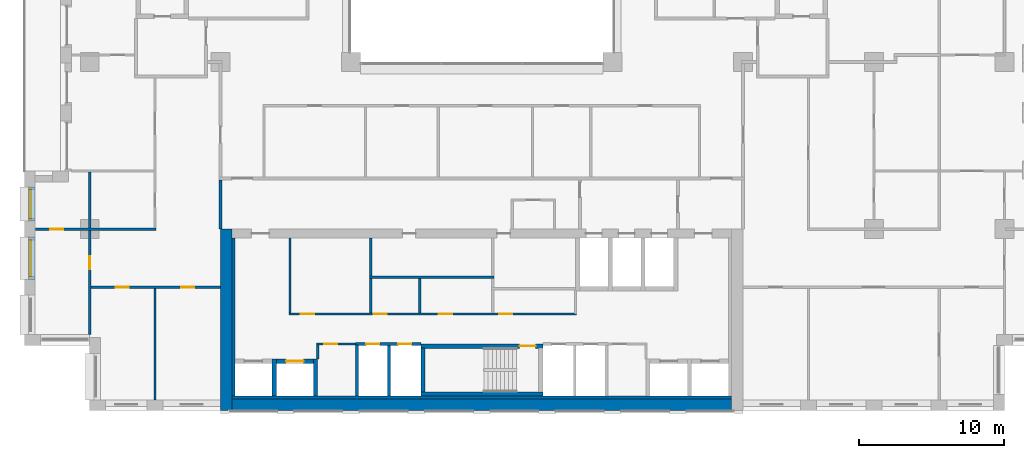
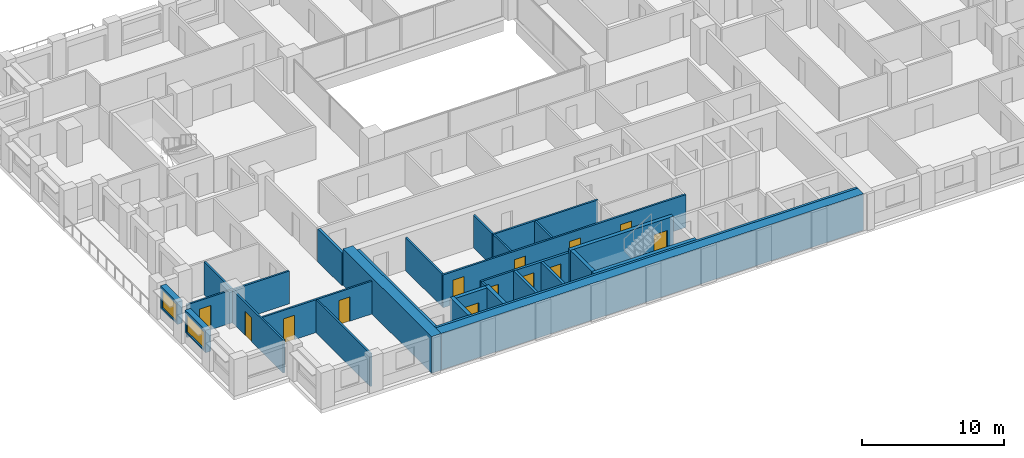
# One storey, part 8 of 16: 29 walls, 13 doors, 2 windows, 15 openings.
"""IFC4 building model written with IfcOpenShell, lengths in metres."""

from ifc_helpers import new_model, si_unit, direction, frame, frame_2d, origin, place, context, subcontext, project, spatial, rectangle, extrude, material, layer, layer_set, type_object, element, fill, save


model = new_model("IFC4")

# Units and contexts
model_context = context("Model", 3, precision=1e-05, world=origin(), true_north=direction((0.0, 1.0)))
body_context = subcontext(model_context, "Body", "Model", "MODEL_VIEW")
ifc_project = project(units=[si_unit("LENGTHUNIT", "METRE"), si_unit("AREAUNIT", "SQUARE_METRE"), si_unit("VOLUMEUNIT", "CUBIC_METRE"), si_unit("PLANEANGLEUNIT", "RADIAN"), si_unit("MASSUNIT", "GRAM", prefix="KILO")], contexts=[model_context])

# Site, building, storey
site_placement = place(None, origin())
site = spatial("IfcSite", under=ifc_project, at=site_placement, CompositionType="ELEMENT")
building_placement = place(site_placement, origin())
building = spatial("IfcBuilding", under=site, at=building_placement, Name="Brigalow Station Residences", CompositionType="ELEMENT")
storey_placement = place(building_placement, frame((0.0, 0.0, 121.35009765625)))
storey = spatial("IfcBuildingStorey", under=building, at=storey_placement, Name="L35", CompositionType="ELEMENT", Elevation=121.35009765625)

# Wall, opening, window
ifc_material_1 = material(Name="Clay brick masonry", Category="masonry")
ifc_layer_1 = layer(ifc_material_1, 0.449951171875)
ifc_layer_set_1 = layer_set([ifc_layer_1], Name="BRICK INFILL WALL 450")
wall_type_1 = type_object("IfcWallType", Name="BRICK INFILL WALL 450", PredefinedType="SOLIDWALL", material=ifc_layer_set_1)
wall_1_placement = place(storey_placement, frame((5.02490234375, 15.39990234375, 0.89990234375), z_axis=(0.0, 0.0, 1.0), x_axis=(0.0, -1.0, 0.0)))
wall_1 = element("IfcWall", 1, at=wall_1_placement, inside=storey, type_object=wall_type_1, Name="L35/ewall/W-L35-47", PredefinedType="SOLIDWALL", context=body_context, shape_type="SweptSolid", body=[
    extrude(rectangle(XDim=2.349853515625, YDim=0.449951171875, at=frame_2d((1.1748046875, 0.0))), origin(), (0.0, 0.0, 1.0), 1.929931640625),
])
opening_1_placement = place(wall_1_placement, frame((0.175048828125, 0.0, 0.14990234375)))
opening_1 = element("IfcOpeningElement", 2, at=opening_1_placement, cuts=wall_1, Name="Opening WT-7", PredefinedType="OPENING", context=body_context, shape_type="SweptSolid", body=[
    extrude(rectangle(XDim=2.0, YDim=1.5, at=frame_2d((1.0, 0.75))), frame((0.0, 0.23486328125, 0.0), z_axis=(0.0, -1.0, 0.0), x_axis=(1.0, 0.0, 0.0)), (0.0, 0.0, 1.0), 0.469970703125),
])
ifc_material_2 = material(Name="Anodised aluminium frame with double glazing", Category="aluminium")
window_type_1 = type_object("IfcWindowType", Name="WINDOW 2000x1500", PartitioningType="SINGLE_PANEL", PredefinedType="WINDOW", material=ifc_material_2)
window_1_placement = place(opening_1_placement, origin())
window_1 = element("IfcWindow", 3, at=window_1_placement, inside=storey, type_object=window_type_1, Name="L35/window/W-L35-47", OverallHeight=1.5, OverallWidth=2.0, PartitioningType="SINGLE_PANEL", PredefinedType="WINDOW", context=body_context, shape_type="SweptSolid", body=[
    extrude(rectangle(XDim=2.0, YDim=1.5, at=frame_2d((1.0, 0.75))), frame((0.0, -0.06494140625, 0.0), z_axis=(0.0, -1.0, 0.0), x_axis=(1.0, 0.0, 0.0)), (0.0, 0.0, 1.0), 0.06005859375),
])
fill(opening_1, window_1)

wall_2_placement = place(storey_placement, frame((5.02490234375, 11.949951171875, 0.89990234375), z_axis=(0.0, 0.0, 1.0), x_axis=(0.0, -1.0, 0.0)))
wall_2 = element("IfcWall", 4, at=wall_2_placement, inside=storey, type_object=wall_type_1, Name="L35/ewall/W-L35-48", PredefinedType="SOLIDWALL", context=body_context, shape_type="SweptSolid", body=[
    extrude(rectangle(XDim=2.89990234375, YDim=0.449951171875, at=frame_2d((1.449951171875, 0.0))), origin(), (0.0, 0.0, 1.0), 1.929931640625),
])
opening_2_placement = place(wall_2_placement, frame((0.199951171875, 0.0, 0.14990234375)))
opening_2 = element("IfcOpeningElement", 5, at=opening_2_placement, cuts=wall_2, Name="Opening WT-5", PredefinedType="OPENING", context=body_context, shape_type="SweptSolid", body=[
    extrude(rectangle(XDim=2.5, YDim=1.5, at=frame_2d((1.25, 0.75))), frame((0.0, 0.23486328125, 0.0), z_axis=(0.0, -1.0, 0.0), x_axis=(1.0, 0.0, 0.0)), (0.0, 0.0, 1.0), 0.469970703125),
])
ifc_material_3 = material(Name="Anodised aluminium frame with double glazing", Category="aluminium")
window_type_2 = type_object("IfcWindowType", Name="WINDOW 2500x1500", PartitioningType="SINGLE_PANEL", PredefinedType="WINDOW", material=ifc_material_3)
window_2_placement = place(opening_2_placement, origin())
window_2 = element("IfcWindow", 6, at=window_2_placement, inside=storey, type_object=window_type_2, Name="L35/window/W-L35-48", OverallHeight=1.5, OverallWidth=2.5, PartitioningType="SINGLE_PANEL", PredefinedType="WINDOW", context=body_context, shape_type="SweptSolid", body=[
    extrude(rectangle(XDim=2.5, YDim=1.5, at=frame_2d((1.25, 0.75))), frame((0.0, -0.06494140625, 0.0), z_axis=(0.0, -1.0, 0.0), x_axis=(1.0, 0.0, 0.0)), (0.0, 0.0, 1.0), 0.06005859375),
])
fill(opening_2, window_2)

# Walls
ifc_material_4 = material(Name="Concrete C65", Category="concrete")
ifc_layer_2 = layer(ifc_material_4, 0.199951171875)
ifc_layer_set_2 = layer_set([ifc_layer_2], Name="CORE SHEAR WALL 200 C65")
wall_type_2 = type_object("IfcWallType", Name="CORE SHEAR WALL 200 C65", PredefinedType="SHEAR", material=ifc_layer_set_2)
wall_3_placement = place(storey_placement, frame((18.89990234375, 1.0, 0.0), z_axis=(0.0, 0.0, 1.0), x_axis=(0.0, 1.0, 0.0)))
element("IfcWall", 7, at=wall_3_placement, inside=storey, type_object=wall_type_2, Name="CORE WALL LIN-W L35", PredefinedType="SHEAR", context=body_context, shape_type="SweptSolid", body=[
    extrude(rectangle(XDim=10.89990234375, YDim=0.199951171875, at=frame_2d((5.449951171875, 0.0))), origin(), (0.0, 0.0, 1.0), 3.14990234375),
])
wall_4_placement = place(storey_placement, frame((18.800048828125, 0.89990234375, 0.0), z_axis=(0.0, 0.0, 1.0), x_axis=(1.0, 0.0, 0.0)))
element("IfcWall", 8, at=wall_4_placement, inside=storey, type_object=wall_type_2, Name="CORE WALL LIN-S L35", PredefinedType="SHEAR", context=body_context, shape_type="SweptSolid", body=[
    extrude(rectangle(XDim=34.39990234375, YDim=0.199951171875, at=frame_2d((17.199951171875, 0.0))), origin(), (0.0, 0.0, 1.0), 3.14990234375),
])

# Wall, opening, door
ifc_material_5 = material(Name="Concrete C65", Category="concrete")
ifc_layer_3 = layer(ifc_material_5, 0.300048828125)
ifc_layer_set_3 = layer_set([ifc_layer_3], Name="CORE SHEAR WALL 300 C65")
wall_type_3 = type_object("IfcWallType", Name="CORE SHEAR WALL 300 C65", PredefinedType="SHEAR", material=ifc_layer_set_3)
wall_5_placement = place(storey_placement, frame((21.85009765625, 3.39990234375, 0.0), z_axis=(0.0, 0.0, 1.0), x_axis=(1.0, 0.0, 0.0)))
wall_5 = element("IfcWall", 9, at=wall_5_placement, inside=storey, type_object=wall_type_3, Name="CORE WALL SH-C2-N L35", PredefinedType="SHEAR", context=body_context, shape_type="SweptSolid", body=[
    extrude(rectangle(XDim=2.5498046875, YDim=0.300048828125, at=frame_2d((1.27490234375, 0.0))), origin(), (0.0, 0.0, 1.0), 3.14990234375),
])
opening_3_placement = place(wall_5_placement, frame((0.675048828125, 0.0, 0.0)))
opening_3 = element("IfcOpeningElement", 10, at=opening_3_placement, cuts=wall_5, Name="Opening LD-LB2", PredefinedType="OPENING", context=body_context, shape_type="SweptSolid", body=[
    extrude(rectangle(XDim=1.199951171875, YDim=2.10009765625, at=frame_2d((0.60009765625, 1.050048828125))), frame((0.0, 0.16015625, 0.0), z_axis=(0.0, -1.0, 0.0), x_axis=(1.0, 0.0, 0.0)), (0.0, 0.0, 1.0), 0.320068359375),
])
ifc_material_6 = material(Name="Stainless steel sliding door leaves", Category="steel")
door_type_1 = type_object("IfcDoorType", Name="LIFT LANDING DOOR 1200 x 2100", OperationType="DOUBLE_DOOR_SLIDING", PredefinedType="DOOR", material=ifc_material_6)
door_1_placement = place(opening_3_placement, origin())
door_1 = element("IfcDoor", 11, at=door_1_placement, inside=storey, type_object=door_type_1, Name="LANDING DOOR LB2", OperationType="DOUBLE_DOOR_SLIDING", OverallHeight=2.10009765625, OverallWidth=1.199951171875, PredefinedType="DOOR", context=body_context, shape_type="SweptSolid", body=[
    extrude(rectangle(XDim=1.199951171875, YDim=2.10009765625, at=frame_2d((0.60009765625, 1.050048828125))), frame((0.0, 0.02490234375, 0.0), z_axis=(0.0, -1.0, 0.0), x_axis=(1.0, 0.0, 0.0)), (0.0, 0.0, 1.0), 0.050048828125),
])
fill(opening_3, door_1)

# Walls
for number, where, z_axis, x_axis, name in (
    (12, (21.699951171875, 1.0, 0.0), (0.0, 0.0, 1.0), (0.0, 1.0, 0.0), "CORE WALL SH-C2-W L35"),
    (13, (24.550048828125, 1.0, 0.0), (0.0, 0.0, 1.0), (0.0, 1.0, 0.0), "CORE WALL SH-C2-E L35"),
):
    element("IfcWall", number, at=place(storey_placement, frame(where, z_axis=z_axis, x_axis=x_axis)), inside=storey, type_object=wall_type_3, Name=name, PredefinedType="SHEAR", context=body_context, shape_type="SweptSolid", body=[
        extrude(rectangle(XDim=2.550048828125, YDim=0.300048828125, at=frame_2d((1.27490234375, 0.0))), origin(), (0.0, 0.0, 1.0), 3.14990234375),
    ])
wall_6_placement = place(storey_placement, frame((31.800048828125, 1.14990234375, 0.0), z_axis=(0.0, 0.0, 1.0), x_axis=(1.0, 0.0, 0.0)))
element("IfcWall", 14, at=wall_6_placement, inside=storey, type_object=wall_type_3, Name="CORE WALL ST-S2-S L35", PredefinedType="SHEAR", context=body_context, shape_type="SweptSolid", body=[
    extrude(rectangle(XDim=8.39990234375, YDim=0.300048828125, at=frame_2d((4.199951171875, 0.0))), origin(), (0.0, 0.0, 1.0), 3.14990234375),
])

# Wall, opening, door
wall_7_placement = place(storey_placement, frame((31.800048828125, 4.449951171875, 0.0), z_axis=(0.0, 0.0, 1.0), x_axis=(1.0, 0.0, 0.0)))
wall_7 = element("IfcWall", 15, at=wall_7_placement, inside=storey, type_object=wall_type_3, Name="CORE WALL ST-S2-N L35", PredefinedType="SHEAR", context=body_context, shape_type="SweptSolid", body=[
    extrude(rectangle(XDim=8.39990234375, YDim=0.300048828125, at=frame_2d((4.199951171875, 0.0))), origin(), (0.0, 0.0, 1.0), 3.14990234375),
])
opening_4_placement = place(wall_7_placement, frame((6.800048828125, 0.0, 0.0)))
opening_4 = element("IfcOpeningElement", 16, at=opening_4_placement, cuts=wall_7, Name="Opening D-5001", PredefinedType="OPENING", context=body_context, shape_type="SweptSolid", body=[
    extrude(rectangle(XDim=1.10009765625, YDim=2.10009765625, at=frame_2d((0.550048828125, 1.050048828125))), frame((0.0, 0.16015625, 0.0), z_axis=(0.0, -1.0, 0.0), x_axis=(1.0, 0.0, 0.0)), (0.0, 0.0, 1.0), 0.320068359375),
])
ifc_material_7 = material(Name="Steel fire door leaf in steel frame", Category="steel")
door_type_2 = type_object("IfcDoorType", Name="STAIR DOOR 1100 x 2100 FD60S", OperationType="SINGLE_SWING_LEFT", PredefinedType="DOOR", material=ifc_material_7)
door_2_placement = place(opening_4_placement, frame((1.10009765625, 0.0, 0.0), z_axis=(0.0, 0.0, 1.0), x_axis=(-1.0, 0.0, 0.0)))
door_2 = element("IfcDoor", 17, at=door_2_placement, inside=storey, type_object=door_type_2, Name="D-5001", OperationType="SINGLE_SWING_LEFT", OverallHeight=2.10009765625, OverallWidth=1.10009765625, PredefinedType="DOOR", context=body_context, shape_type="SweptSolid", body=[
    extrude(rectangle(XDim=1.10009765625, YDim=2.10009765625, at=frame_2d((0.550048828125, 1.050048828125))), frame((0.0, 0.02490234375, 0.0), z_axis=(0.0, -1.0, 0.0), x_axis=(1.0, 0.0, 0.0)), (0.0, 0.0, 1.0), 0.050048828125),
])
fill(opening_4, door_2)

# Walls
wall_8_placement = place(storey_placement, frame((31.949951171875, 1.300048828125, 0.0), z_axis=(0.0, 0.0, 1.0), x_axis=(0.0, 1.0, 0.0)))
element("IfcWall", 18, at=wall_8_placement, inside=storey, type_object=wall_type_3, Name="CORE WALL ST-S2-W L35", PredefinedType="SHEAR", context=body_context, shape_type="SweptSolid", body=[
    extrude(rectangle(XDim=3.0, YDim=0.300048828125, at=frame_2d((1.5, 0.0))), origin(), (0.0, 0.0, 1.0), 3.14990234375),
])
ifc_material_8 = material(Name="Concrete C65", Category="concrete")
ifc_layer_4 = layer(ifc_material_8, 0.800048828125)
ifc_layer_set_4 = layer_set([ifc_layer_4], Name="CORE SHEAR WALL 800 C65")
wall_type_4 = type_object("IfcWallType", Name="CORE SHEAR WALL 800 C65", PredefinedType="SHEAR", material=ifc_layer_set_4)
wall_9_placement = place(storey_placement, frame((18.39990234375, 0.0, 0.0), z_axis=(0.0, 0.0, 1.0), x_axis=(0.0, 1.0, 0.0)))
element("IfcWall", 19, at=wall_9_placement, inside=storey, type_object=wall_type_4, Name="CORE WALL OUT-W L35", PredefinedType="SHEAR", context=body_context, shape_type="SweptSolid", body=[
    extrude(rectangle(XDim=12.5, YDim=0.800048828125, at=frame_2d((6.25, 0.0))), origin(), (0.0, 0.0, 1.0), 3.14990234375),
])
wall_10_placement = place(storey_placement, frame((18.800048828125, 0.39990234375, 0.0), z_axis=(0.0, 0.0, 1.0), x_axis=(1.0, 0.0, 0.0)))
element("IfcWall", 20, at=wall_10_placement, inside=storey, type_object=wall_type_4, Name="CORE WALL OUT-S L35", PredefinedType="SHEAR", context=body_context, shape_type="SweptSolid", body=[
    extrude(rectangle(XDim=34.39990234375, YDim=0.800048828125, at=frame_2d((17.199951171875, 0.0))), origin(), (0.0, 0.0, 1.0), 3.14990234375),
])

# Wall, openings, doors
ifc_material_9 = material(Name="Concrete blockwork", Category="masonry")
ifc_layer_5 = layer(ifc_material_9, 0.199951171875)
ifc_layer_set_5 = layer_set([ifc_layer_5], Name="FIRE RATED CORE PARTITION 200")
wall_type_5 = type_object("IfcWallType", Name="FIRE RATED CORE PARTITION 200", PredefinedType="PARTITIONING", material=ifc_layer_set_5)
wall_11_placement = place(storey_placement, frame((27.300048828125, 4.60009765625, 0.0), z_axis=(0.0, 0.0, 1.0), x_axis=(1.0, 0.0, 0.0)))
wall_11 = element("IfcWall", 21, at=wall_11_placement, inside=storey, type_object=wall_type_5, Name="PW-5017", PredefinedType="PARTITIONING", context=body_context, shape_type="SweptSolid", body=[
    extrude(rectangle(XDim=4.5, YDim=0.199951171875, at=frame_2d((2.25, 0.0))), origin(), (0.0, 0.0, 1.0), 2.829833984375),
])
opening_5_placement = place(wall_11_placement, frame((0.75, 0.0, 0.0)))
opening_5 = element("IfcOpeningElement", 22, at=opening_5_placement, cuts=wall_11, Name="Opening D-5007", PredefinedType="OPENING", context=body_context, shape_type="SweptSolid", body=[
    extrude(rectangle(XDim=0.89990234375, YDim=2.10009765625, at=frame_2d((0.449951171875, 1.050048828125))), frame((0.0, 0.10986328125, 0.0), z_axis=(0.0, -1.0, 0.0), x_axis=(1.0, 0.0, 0.0)), (0.0, 0.0, 1.0), 0.219970703125),
])
opening_6_placement = place(wall_11_placement, frame((2.949951171875, 0.0, 0.0)))
opening_6 = element("IfcOpeningElement", 23, at=opening_6_placement, cuts=wall_11, Name="Opening D-5008", PredefinedType="OPENING", context=body_context, shape_type="SweptSolid", body=[
    extrude(rectangle(XDim=0.89990234375, YDim=2.10009765625, at=frame_2d((0.449951171875, 1.050048828125))), frame((0.0, 0.10986328125, 0.0), z_axis=(0.0, -1.0, 0.0), x_axis=(1.0, 0.0, 0.0)), (0.0, 0.0, 1.0), 0.219970703125),
])
ifc_material_10 = material(Name="Steel fire door leaf in steel frame", Category="steel")
door_type_3 = type_object("IfcDoorType", Name="RISER ACCESS DOOR 900 x 2100 FD120", OperationType="SINGLE_SWING_LEFT", PredefinedType="DOOR", material=ifc_material_10)
door_3_placement = place(opening_5_placement, frame((0.89990234375, 0.0, 0.0), z_axis=(0.0, 0.0, 1.0), x_axis=(-1.0, 0.0, 0.0)))
door_3 = element("IfcDoor", 24, at=door_3_placement, inside=storey, type_object=door_type_3, Name="D-5007", OperationType="SINGLE_SWING_RIGHT", OverallHeight=2.10009765625, OverallWidth=0.89990234375, PredefinedType="DOOR", context=body_context, shape_type="SweptSolid", body=[
    extrude(rectangle(XDim=0.89990234375, YDim=2.10009765625, at=frame_2d((0.449951171875, 1.050048828125))), frame((0.0, 0.02490234375, 0.0), z_axis=(0.0, -1.0, 0.0), x_axis=(1.0, 0.0, 0.0)), (0.0, 0.0, 1.0), 0.050048828125),
])
fill(opening_5, door_3)
door_4_placement = place(opening_6_placement, frame((0.89990234375, 0.0, 0.0), z_axis=(0.0, 0.0, 1.0), x_axis=(-1.0, 0.0, 0.0)))
door_4 = element("IfcDoor", 25, at=door_4_placement, inside=storey, type_object=door_type_3, Name="D-5008", OperationType="SINGLE_SWING_RIGHT", OverallHeight=2.10009765625, OverallWidth=0.89990234375, PredefinedType="DOOR", context=body_context, shape_type="SweptSolid", body=[
    extrude(rectangle(XDim=0.89990234375, YDim=2.10009765625, at=frame_2d((0.449951171875, 1.050048828125))), frame((0.0, 0.02490234375, 0.0), z_axis=(0.0, -1.0, 0.0), x_axis=(1.0, 0.0, 0.0)), (0.0, 0.0, 1.0), 0.050048828125),
])
fill(opening_6, door_4)

# Walls
wall_12_placement = place(storey_placement, frame((27.39990234375, 1.0, 0.0), z_axis=(0.0, 0.0, 1.0), x_axis=(0.0, 1.0, 0.0)))
element("IfcWall", 26, at=wall_12_placement, inside=storey, type_object=wall_type_5, Name="PW-5027", PredefinedType="PARTITIONING", context=body_context, shape_type="SweptSolid", body=[
    extrude(rectangle(XDim=3.52490234375, YDim=0.199951171875, at=frame_2d((1.762451171875, 0.0))), origin(), (0.0, 0.0, 1.0), 2.829833984375),
])
wall_13_placement = place(storey_placement, frame((29.60009765625, 1.0, 0.0), z_axis=(0.0, 0.0, 1.0), x_axis=(0.0, 1.0, 0.0)))
element("IfcWall", 27, at=wall_13_placement, inside=storey, type_object=wall_type_5, Name="PW-5006", PredefinedType="PARTITIONING", context=body_context, shape_type="SweptSolid", body=[
    extrude(rectangle(XDim=3.5, YDim=0.199951171875, at=frame_2d((1.75, 0.0))), origin(), (0.0, 0.0, 1.0), 2.829833984375),
])
wall_14_placement = place(storey_placement, frame((18.0, 12.5, 0.0), z_axis=(0.0, 0.0, 1.0), x_axis=(0.0, 1.0, 0.0)))
element("IfcWall", 28, at=wall_14_placement, inside=storey, type_object=wall_type_5, Name="PW-5013", PredefinedType="PARTITIONING", context=body_context, shape_type="SweptSolid", body=[
    extrude(rectangle(XDim=3.39990234375, YDim=0.199951171875, at=frame_2d((1.699951171875, 0.0))), origin(), (0.0, 0.0, 1.0), 2.829833984375),
])

# Wall, opening, door
ifc_material_11 = material(Name="Plasterboard on steel stud partition", Category="steel")
ifc_layer_6 = layer(ifc_material_11, 0.14990234375)
ifc_layer_set_6 = layer_set([ifc_layer_6], Name="FLAT PARTITION 150")
wall_type_6 = type_object("IfcWallType", Name="FLAT PARTITION 150", PredefinedType="PARTITIONING", material=ifc_layer_set_6)
wall_15_placement = place(storey_placement, frame((5.25, 12.5, 0.0), z_axis=(0.0, 0.0, 1.0), x_axis=(1.0, 0.0, 0.0)))
wall_15 = element("IfcWall", 29, at=wall_15_placement, inside=storey, type_object=wall_type_6, Name="PW-2E11", PredefinedType="PARTITIONING", context=body_context, shape_type="SweptSolid", body=[
    extrude(rectangle(XDim=8.324951171875, YDim=0.14990234375, at=frame_2d((4.16259765625, 0.0))), origin(), (0.0, 0.0, 1.0), 2.829833984375),
])
opening_7_placement = place(wall_15_placement, frame((1.02490234375, 0.0, 0.0)))
opening_7 = element("IfcOpeningElement", 30, at=opening_7_placement, cuts=wall_15, Name="Opening D-2E05", PredefinedType="OPENING", context=body_context, shape_type="SweptSolid", body=[
    extrude(rectangle(XDim=0.89990234375, YDim=2.10009765625, at=frame_2d((0.449951171875, 1.050048828125))), frame((0.0, 0.0849609375, 0.0), z_axis=(0.0, -1.0, 0.0), x_axis=(1.0, 0.0, 0.0)), (0.0, 0.0, 1.0), 0.169921875),
])
ifc_material_12 = material(Name="Solid-core timber door leaf", Category="wood")
door_type_4 = type_object("IfcDoorType", Name="INTERNAL DOOR 900 x 2100", OperationType="SINGLE_SWING_LEFT", PredefinedType="DOOR", material=ifc_material_12)
door_5_placement = place(opening_7_placement, origin())
door_5 = element("IfcDoor", 31, at=door_5_placement, inside=storey, type_object=door_type_4, Name="D-2E05", OperationType="SINGLE_SWING_LEFT", OverallHeight=2.10009765625, OverallWidth=0.89990234375, PredefinedType="DOOR", context=body_context, shape_type="SweptSolid", body=[
    extrude(rectangle(XDim=0.89990234375, YDim=2.10009765625, at=frame_2d((0.449951171875, 1.050048828125))), frame((0.0, 0.02490234375, 0.0), z_axis=(0.0, -1.0, 0.0), x_axis=(1.0, 0.0, 0.0)), (0.0, 0.0, 1.0), 0.050048828125),
])
fill(opening_7, door_5)

# Wall, openings, doors
wall_16_placement = place(storey_placement, frame((9.074951171875, 8.5, 0.0), z_axis=(0.0, 0.0, 1.0), x_axis=(1.0, 0.0, 0.0)))
wall_16 = element("IfcWall", 32, at=wall_16_placement, inside=storey, type_object=wall_type_6, Name="PW-2E16", PredefinedType="PARTITIONING", context=body_context, shape_type="SweptSolid", body=[
    extrude(rectangle(XDim=8.925048828125, YDim=0.14990234375, at=frame_2d((4.46240234375, 0.0))), origin(), (0.0, 0.0, 1.0), 2.829833984375),
])
opening_8_placement = place(wall_16_placement, frame((1.72509765625, 0.0, 0.0)))
opening_8 = element("IfcOpeningElement", 33, at=opening_8_placement, cuts=wall_16, Name="Opening D-2E06", PredefinedType="OPENING", context=body_context, shape_type="SweptSolid", body=[
    extrude(rectangle(XDim=0.89990234375, YDim=2.10009765625, at=frame_2d((0.449951171875, 1.050048828125))), frame((0.0, 0.0849609375, 0.0), z_axis=(0.0, -1.0, 0.0), x_axis=(1.0, 0.0, 0.0)), (0.0, 0.0, 1.0), 0.169921875),
])
opening_9_placement = place(wall_16_placement, frame((6.22509765625, 0.0, 0.0)))
opening_9 = element("IfcOpeningElement", 34, at=opening_9_placement, cuts=wall_16, Name="Opening D-2E07", PredefinedType="OPENING", context=body_context, shape_type="SweptSolid", body=[
    extrude(rectangle(XDim=0.89990234375, YDim=2.10009765625, at=frame_2d((0.449951171875, 1.050048828125))), frame((0.0, 0.0849609375, 0.0), z_axis=(0.0, -1.0, 0.0), x_axis=(1.0, 0.0, 0.0)), (0.0, 0.0, 1.0), 0.169921875),
])
door_6_placement = place(opening_8_placement, frame((0.89990234375, 0.0, 0.0), z_axis=(0.0, 0.0, 1.0), x_axis=(-1.0, 0.0, 0.0)))
door_6 = element("IfcDoor", 35, at=door_6_placement, inside=storey, type_object=door_type_4, Name="D-2E06", OperationType="SINGLE_SWING_LEFT", OverallHeight=2.10009765625, OverallWidth=0.89990234375, PredefinedType="DOOR", context=body_context, shape_type="SweptSolid", body=[
    extrude(rectangle(XDim=0.89990234375, YDim=2.10009765625, at=frame_2d((0.449951171875, 1.050048828125))), frame((0.0, 0.02490234375, 0.0), z_axis=(0.0, -1.0, 0.0), x_axis=(1.0, 0.0, 0.0)), (0.0, 0.0, 1.0), 0.050048828125),
])
fill(opening_8, door_6)
door_7_placement = place(opening_9_placement, frame((0.89990234375, 0.0, 0.0), z_axis=(0.0, 0.0, 1.0), x_axis=(-1.0, 0.0, 0.0)))
door_7 = element("IfcDoor", 36, at=door_7_placement, inside=storey, type_object=door_type_4, Name="D-2E07", OperationType="SINGLE_SWING_RIGHT", OverallHeight=2.10009765625, OverallWidth=0.89990234375, PredefinedType="DOOR", context=body_context, shape_type="SweptSolid", body=[
    extrude(rectangle(XDim=0.89990234375, YDim=2.10009765625, at=frame_2d((0.449951171875, 1.050048828125))), frame((0.0, 0.02490234375, 0.0), z_axis=(0.0, -1.0, 0.0), x_axis=(1.0, 0.0, 0.0)), (0.0, 0.0, 1.0), 0.050048828125),
])
fill(opening_9, door_7)

# Wall, opening, door
wall_17_placement = place(storey_placement, frame((9.0, 5.25, 0.0), z_axis=(0.0, 0.0, 1.0), x_axis=(0.0, 1.0, 0.0)))
wall_17 = element("IfcWall", 37, at=wall_17_placement, inside=storey, type_object=wall_type_6, Name="PW-2E42", PredefinedType="PARTITIONING", context=body_context, shape_type="SweptSolid", body=[
    extrude(rectangle(XDim=7.175048828125, YDim=0.14990234375, at=frame_2d((3.58740234375, 0.0))), origin(), (0.0, 0.0, 1.0), 2.829833984375),
])
opening_10_placement = place(wall_17_placement, frame((4.47509765625, 0.0, 0.0)))
opening_10 = element("IfcOpeningElement", 38, at=opening_10_placement, cuts=wall_17, Name="Opening D-2E04", PredefinedType="OPENING", context=body_context, shape_type="SweptSolid", body=[
    extrude(rectangle(XDim=0.89990234375, YDim=2.10009765625, at=frame_2d((0.449951171875, 1.050048828125))), frame((0.0, 0.0849609375, 0.0), z_axis=(0.0, -1.0, 0.0), x_axis=(1.0, 0.0, 0.0)), (0.0, 0.0, 1.0), 0.169921875),
])
door_8_placement = place(opening_10_placement, origin())
door_8 = element("IfcDoor", 39, at=door_8_placement, inside=storey, type_object=door_type_4, Name="D-2E04", OperationType="SINGLE_SWING_RIGHT", OverallHeight=2.10009765625, OverallWidth=0.89990234375, PredefinedType="DOOR", context=body_context, shape_type="SweptSolid", body=[
    extrude(rectangle(XDim=0.89990234375, YDim=2.10009765625, at=frame_2d((0.449951171875, 1.050048828125))), frame((0.0, 0.02490234375, 0.0), z_axis=(0.0, -1.0, 0.0), x_axis=(1.0, 0.0, 0.0)), (0.0, 0.0, 1.0), 0.050048828125),
])
fill(opening_10, door_8)

# Walls
wall_18_placement = place(storey_placement, frame((9.0, 12.574951171875, 0.0), z_axis=(0.0, 0.0, 1.0), x_axis=(0.0, 1.0, 0.0)))
element("IfcWall", 40, at=wall_18_placement, inside=storey, type_object=wall_type_6, Name="PW-2E43", PredefinedType="PARTITIONING", context=body_context, shape_type="SweptSolid", body=[
    extrude(rectangle(XDim=3.85009765625, YDim=0.14990234375, at=frame_2d((1.925048828125, 0.0))), origin(), (0.0, 0.0, 1.0), 2.829833984375),
])
wall_19_placement = place(storey_placement, frame((13.5, 0.75, 0.0), z_axis=(0.0, 0.0, 1.0), x_axis=(0.0, 1.0, 0.0)))
element("IfcWall", 41, at=wall_19_placement, inside=storey, type_object=wall_type_6, Name="PW-2E44", PredefinedType="PARTITIONING", context=body_context, shape_type="SweptSolid", body=[
    extrude(rectangle(XDim=7.675048828125, YDim=0.14990234375, at=frame_2d((3.83740234375, 0.0))), origin(), (0.0, 0.0, 1.0), 2.829833984375),
])

# Wall, opening, door
ifc_material_13 = material(Name="Plasterboard on steel studs", Category="steel")
ifc_layer_7 = layer(ifc_material_13, 0.14990234375)
ifc_layer_set_7 = layer_set([ifc_layer_7], Name="SERVICE ROOM PARTITION 150")
wall_type_7 = type_object("IfcWallType", Name="SERVICE ROOM PARTITION 150", PredefinedType="PARTITIONING", material=ifc_layer_set_7)
wall_20_placement = place(storey_placement, frame((24.625, 4.60009765625, 0.0), z_axis=(0.0, 0.0, 1.0), x_axis=(1.0, 0.0, 0.0)))
wall_20 = element("IfcWall", 42, at=wall_20_placement, inside=storey, type_object=wall_type_7, Name="PW-5155", PredefinedType="PARTITIONING", context=body_context, shape_type="SweptSolid", body=[
    extrude(rectangle(XDim=2.675048828125, YDim=0.14990234375, at=frame_2d((1.33740234375, 0.0))), origin(), (0.0, 0.0, 1.0), 2.829833984375),
])
opening_11_placement = place(wall_20_placement, frame((0.52490234375, 0.0, 0.0)))
opening_11 = element("IfcOpeningElement", 43, at=opening_11_placement, cuts=wall_20, Name="Opening D-5087", PredefinedType="OPENING", context=body_context, shape_type="SweptSolid", body=[
    extrude(rectangle(XDim=0.89990234375, YDim=2.10009765625, at=frame_2d((0.449951171875, 1.050048828125))), frame((0.0, 0.0849609375, 0.0), z_axis=(0.0, -1.0, 0.0), x_axis=(1.0, 0.0, 0.0)), (0.0, 0.0, 1.0), 0.169921875),
])
ifc_material_14 = material(Name="Steel door leaf in steel frame", Category="steel")
door_type_5 = type_object("IfcDoorType", Name="SERVICE ROOM DOOR 900 x 2100 FD60", OperationType="SINGLE_SWING_LEFT", PredefinedType="DOOR", material=ifc_material_14)
door_9_placement = place(opening_11_placement, frame((0.89990234375, 0.0, 0.0), z_axis=(0.0, 0.0, 1.0), x_axis=(-1.0, 0.0, 0.0)))
door_9 = element("IfcDoor", 44, at=door_9_placement, inside=storey, type_object=door_type_5, Name="D-5087", OperationType="SINGLE_SWING_RIGHT", OverallHeight=2.10009765625, OverallWidth=0.89990234375, PredefinedType="DOOR", context=body_context, shape_type="SweptSolid", body=[
    extrude(rectangle(XDim=0.89990234375, YDim=2.10009765625, at=frame_2d((0.449951171875, 1.050048828125))), frame((0.0, 0.02490234375, 0.0), z_axis=(0.0, -1.0, 0.0), x_axis=(1.0, 0.0, 0.0)), (0.0, 0.0, 1.0), 0.050048828125),
])
fill(opening_11, door_9)

# Wall, openings, doors
wall_21_placement = place(storey_placement, frame((22.72509765625, 6.64990234375, 0.0), z_axis=(0.0, 0.0, 1.0), x_axis=(1.0, 0.0, 0.0)))
wall_21 = element("IfcWall", 45, at=wall_21_placement, inside=storey, type_object=wall_type_7, Name="PW-5195", PredefinedType="PARTITIONING", context=body_context, shape_type="SweptSolid", body=[
    extrude(rectangle(XDim=19.7998046875, YDim=0.14990234375, at=frame_2d((9.89990234375, 0.0))), origin(), (0.0, 0.0, 1.0), 2.829833984375),
])
opening_12_placement = place(wall_21_placement, frame((0.824951171875, 0.0, 0.0)))
opening_12 = element("IfcOpeningElement", 46, at=opening_12_placement, cuts=wall_21, Name="Opening D-5110", PredefinedType="OPENING", context=body_context, shape_type="SweptSolid", body=[
    extrude(rectangle(XDim=0.89990234375, YDim=2.10009765625, at=frame_2d((0.449951171875, 1.050048828125))), frame((0.0, 0.0849609375, 0.0), z_axis=(0.0, -1.0, 0.0), x_axis=(1.0, 0.0, 0.0)), (0.0, 0.0, 1.0), 0.169921875),
])
opening_13_placement = place(wall_21_placement, frame((5.824951171875, 0.0, 0.0)))
opening_13 = element("IfcOpeningElement", 47, at=opening_13_placement, cuts=wall_21, Name="Opening D-5111", PredefinedType="OPENING", context=body_context, shape_type="SweptSolid", body=[
    extrude(rectangle(XDim=0.89990234375, YDim=2.10009765625, at=frame_2d((0.449951171875, 1.050048828125))), frame((0.0, 0.0849609375, 0.0), z_axis=(0.0, -1.0, 0.0), x_axis=(1.0, 0.0, 0.0)), (0.0, 0.0, 1.0), 0.169921875),
])
opening_14_placement = place(wall_21_placement, frame((10.324951171875, 0.0, 0.0)))
opening_14 = element("IfcOpeningElement", 48, at=opening_14_placement, cuts=wall_21, Name="Opening D-5112", PredefinedType="OPENING", context=body_context, shape_type="SweptSolid", body=[
    extrude(rectangle(XDim=0.89990234375, YDim=2.10009765625, at=frame_2d((0.449951171875, 1.050048828125))), frame((0.0, 0.0849609375, 0.0), z_axis=(0.0, -1.0, 0.0), x_axis=(1.0, 0.0, 0.0)), (0.0, 0.0, 1.0), 0.169921875),
])
opening_15_placement = place(wall_21_placement, frame((14.47509765625, 0.0, 0.0)))
opening_15 = element("IfcOpeningElement", 49, at=opening_15_placement, cuts=wall_21, Name="Opening D-5114", PredefinedType="OPENING", context=body_context, shape_type="SweptSolid", body=[
    extrude(rectangle(XDim=0.89990234375, YDim=2.10009765625, at=frame_2d((0.449951171875, 1.050048828125))), frame((0.0, 0.0849609375, 0.0), z_axis=(0.0, -1.0, 0.0), x_axis=(1.0, 0.0, 0.0)), (0.0, 0.0, 1.0), 0.169921875),
])
door_10_placement = place(opening_12_placement, origin())
door_10 = element("IfcDoor", 50, at=door_10_placement, inside=storey, type_object=door_type_5, Name="D-5110", OperationType="SINGLE_SWING_LEFT", OverallHeight=2.10009765625, OverallWidth=0.89990234375, PredefinedType="DOOR", context=body_context, shape_type="SweptSolid", body=[
    extrude(rectangle(XDim=0.89990234375, YDim=2.10009765625, at=frame_2d((0.449951171875, 1.050048828125))), frame((0.0, 0.02490234375, 0.0), z_axis=(0.0, -1.0, 0.0), x_axis=(1.0, 0.0, 0.0)), (0.0, 0.0, 1.0), 0.050048828125),
])
fill(opening_12, door_10)
door_11_placement = place(opening_13_placement, origin())
door_11 = element("IfcDoor", 51, at=door_11_placement, inside=storey, type_object=door_type_5, Name="D-5111", OperationType="SINGLE_SWING_LEFT", OverallHeight=2.10009765625, OverallWidth=0.89990234375, PredefinedType="DOOR", context=body_context, shape_type="SweptSolid", body=[
    extrude(rectangle(XDim=0.89990234375, YDim=2.10009765625, at=frame_2d((0.449951171875, 1.050048828125))), frame((0.0, 0.02490234375, 0.0), z_axis=(0.0, -1.0, 0.0), x_axis=(1.0, 0.0, 0.0)), (0.0, 0.0, 1.0), 0.050048828125),
])
fill(opening_13, door_11)
door_12_placement = place(opening_14_placement, origin())
door_12 = element("IfcDoor", 52, at=door_12_placement, inside=storey, type_object=door_type_5, Name="D-5112", OperationType="SINGLE_SWING_LEFT", OverallHeight=2.10009765625, OverallWidth=0.89990234375, PredefinedType="DOOR", context=body_context, shape_type="SweptSolid", body=[
    extrude(rectangle(XDim=0.89990234375, YDim=2.10009765625, at=frame_2d((0.449951171875, 1.050048828125))), frame((0.0, 0.02490234375, 0.0), z_axis=(0.0, -1.0, 0.0), x_axis=(1.0, 0.0, 0.0)), (0.0, 0.0, 1.0), 0.050048828125),
])
fill(opening_14, door_12)
door_13_placement = place(opening_15_placement, origin())
door_13 = element("IfcDoor", 53, at=door_13_placement, inside=storey, type_object=door_type_5, Name="D-5114", OperationType="SINGLE_SWING_LEFT", OverallHeight=2.10009765625, OverallWidth=0.89990234375, PredefinedType="DOOR", context=body_context, shape_type="SweptSolid", body=[
    extrude(rectangle(XDim=0.89990234375, YDim=2.10009765625, at=frame_2d((0.449951171875, 1.050048828125))), frame((0.0, 0.02490234375, 0.0), z_axis=(0.0, -1.0, 0.0), x_axis=(1.0, 0.0, 0.0)), (0.0, 0.0, 1.0), 0.050048828125),
])
fill(opening_15, door_13)

# Walls
wall_22_placement = place(storey_placement, frame((28.27490234375, 9.18994140625, 0.0), z_axis=(0.0, 0.0, 1.0), x_axis=(1.0, 0.0, 0.0)))
element("IfcWall", 54, at=wall_22_placement, inside=storey, type_object=wall_type_7, Name="PW-5230", PredefinedType="PARTITIONING", context=body_context, shape_type="SweptSolid", body=[
    extrude(rectangle(XDim=8.550048828125, YDim=0.14990234375, at=frame_2d((4.27490234375, 0.0))), origin(), (0.0, 0.0, 1.0), 2.829833984375),
])
wall_23_placement = place(storey_placement, frame((24.699951171875, 3.550048828125, 0.0), z_axis=(0.0, 0.0, 1.0), x_axis=(0.0, 1.0, 0.0)))
element("IfcWall", 55, at=wall_23_placement, inside=storey, type_object=wall_type_7, Name="PW-5157", PredefinedType="PARTITIONING", context=body_context, shape_type="SweptSolid", body=[
    extrude(rectangle(XDim=0.974853515625, YDim=0.14990234375, at=frame_2d((0.4873046875, 0.0))), origin(), (0.0, 0.0, 1.0), 2.829833984375),
])
wall_24_placement = place(storey_placement, frame((22.800048828125, 6.72509765625, 0.0), z_axis=(0.0, 0.0, 1.0), x_axis=(0.0, 1.0, 0.0)))
element("IfcWall", 56, at=wall_24_placement, inside=storey, type_object=wall_type_7, Name="PW-5197", PredefinedType="PARTITIONING", context=body_context, shape_type="SweptSolid", body=[
    extrude(rectangle(XDim=5.1748046875, YDim=0.14990234375, at=frame_2d((2.58740234375, 0.0))), origin(), (0.0, 0.0, 1.0), 2.829833984375),
])
for number, where, z_axis, x_axis, name in (
    (57, (28.35009765625, 6.72509765625, 0.0), (0.0, 0.0, 1.0), (0.0, 1.0, 0.0), "PW-5231"),
    (58, (31.72998046875, 6.72509765625, 0.0), (0.0, 0.0, 1.0), (0.0, 1.0, 0.0), "PW-5232"),
):
    element("IfcWall", number, at=place(storey_placement, frame(where, z_axis=z_axis, x_axis=x_axis)), inside=storey, type_object=wall_type_7, Name=name, PredefinedType="PARTITIONING", context=body_context, shape_type="SweptSolid", body=[
        extrude(rectangle(XDim=2.389892578125, YDim=0.14990234375, at=frame_2d((1.19482421875, 0.0))), origin(), (0.0, 0.0, 1.0), 2.829833984375),
    ])
wall_25_placement = place(storey_placement, frame((28.35009765625, 9.264892578125, 0.0), z_axis=(0.0, 0.0, 1.0), x_axis=(0.0, 1.0, 0.0)))
element("IfcWall", 59, at=wall_25_placement, inside=storey, type_object=wall_type_7, Name="PW-5234", PredefinedType="PARTITIONING", context=body_context, shape_type="SweptSolid", body=[
    extrude(rectangle(XDim=2.635009765625, YDim=0.14990234375, at=frame_2d((1.3173828125, 0.0))), origin(), (0.0, 0.0, 1.0), 2.829833984375),
])

save(model, "model.ifc")
